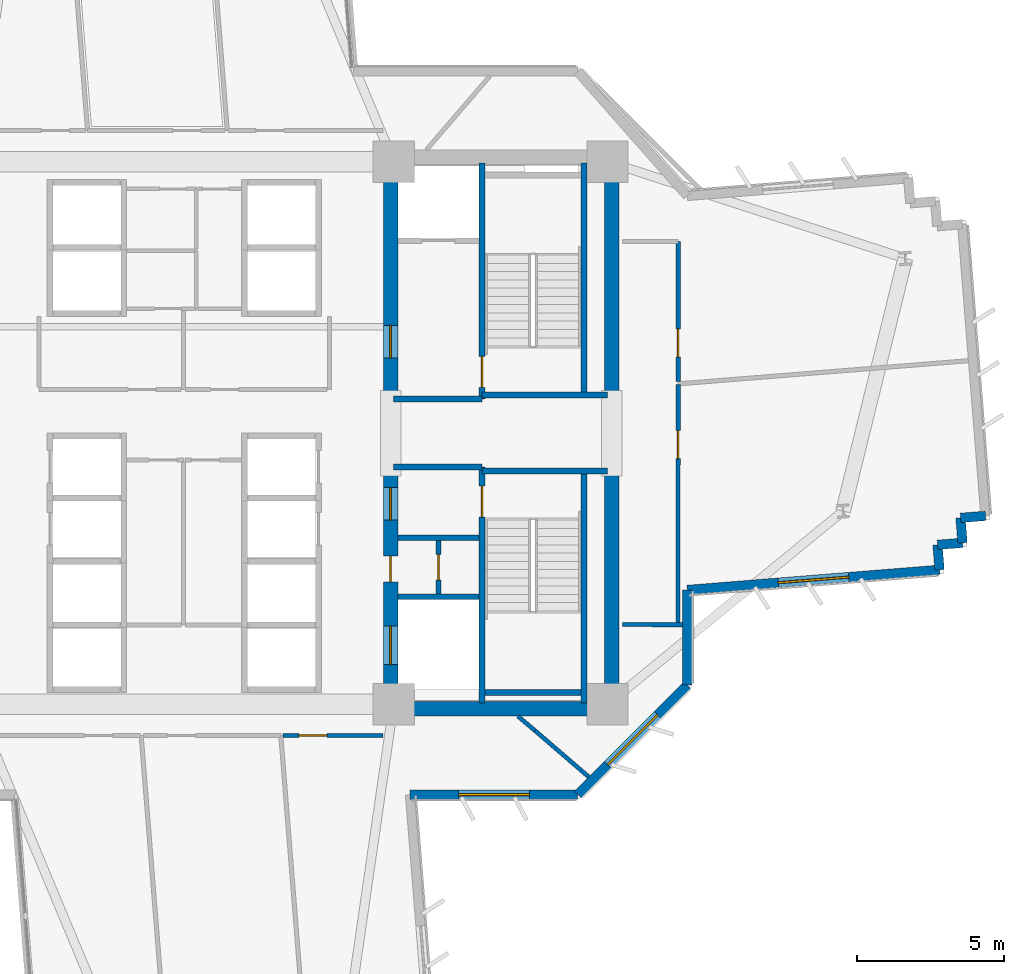
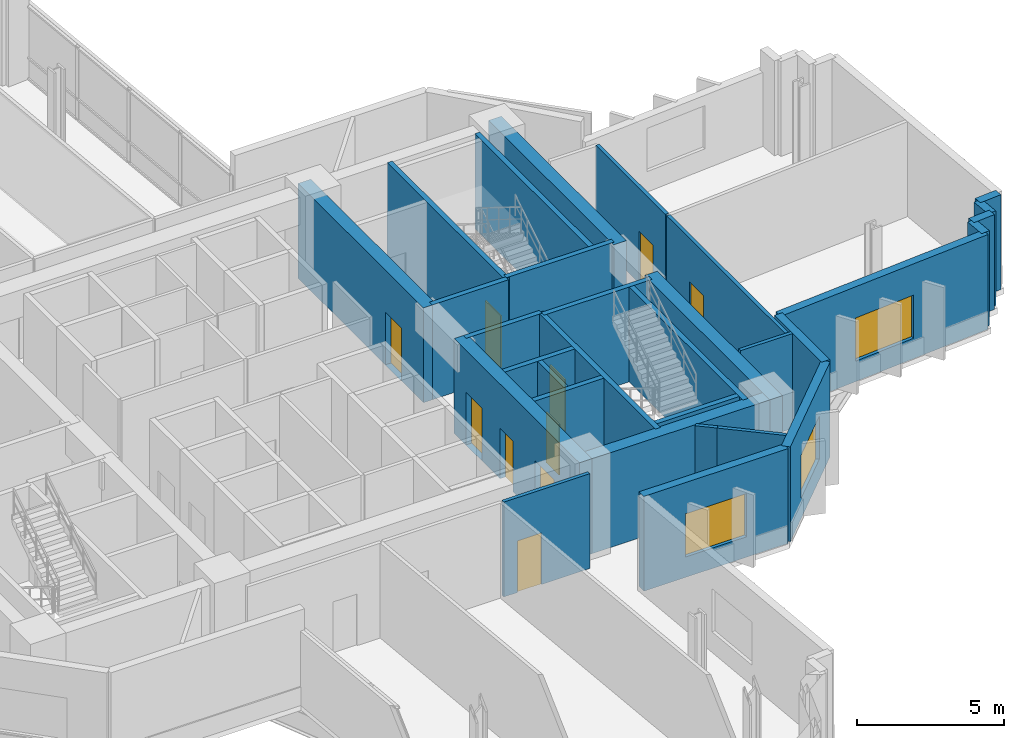
# One storey, part 8 of 15: 31 walls, 10 doors, 3 windows, 13 openings.
"""IFC4 building model written with IfcOpenShell, lengths in metres."""

from ifc_helpers import new_model, si_unit, direction, frame, frame_2d, origin, place, context, subcontext, project, spatial, rectangle, extrude, source, transform, mapped, material, layer, layer_set, type_object, element, fill, save


model = new_model("IFC4")

# Units and contexts
model_context = context("Model", 3, precision=1e-05, world=origin(), true_north=direction((0.0, 1.0)))
body_context = subcontext(model_context, "Body", "Model", "MODEL_VIEW")
ifc_project = project(units=[si_unit("LENGTHUNIT", "METRE"), si_unit("AREAUNIT", "SQUARE_METRE"), si_unit("VOLUMEUNIT", "CUBIC_METRE"), si_unit("PLANEANGLEUNIT", "RADIAN"), si_unit("MASSUNIT", "GRAM", prefix="KILO")], contexts=[model_context])

# Site, building, storey
site_placement = place(None, origin())
site = spatial("IfcSite", under=ifc_project, at=site_placement, CompositionType="ELEMENT")
building_placement = place(site_placement, origin())
building = spatial("IfcBuilding", under=site, at=building_placement, Name="Zahravan Cultural Tower", CompositionType="ELEMENT")
storey_placement = place(building_placement, frame((0.0, 0.0, 87.89990234375)))
storey = spatial("IfcBuildingStorey", under=building, at=storey_placement, Name="L19", CompositionType="ELEMENT", Elevation=87.89990234375)

# Wall, openings, doors
ifc_material_1 = material(Name="Concrete C60/75", Category="concrete")
ifc_layer_1 = layer(ifc_material_1, 0.5)
ifc_layer_set_1 = layer_set([ifc_layer_1], Name="Concrete C60/75")
wall_type_1 = type_object("IfcWallType", Name="CW-SHEAR-500-C60", PredefinedType="SHEAR", material=ifc_layer_set_1)
wall_1_placement = place(storey_placement, frame((43.0, 17.39990234375, 0.0), z_axis=(0.0, 0.0, 1.0), x_axis=(0.0, 1.0, 0.0)))
wall_1 = element("IfcWall", 1, at=wall_1_placement, inside=storey, type_object=wall_type_1, Name="L19 Core Shear Wall CW-E-WS-L19", PredefinedType="SHEAR", context=body_context, shape_type="SweptSolid", body=[
    extrude(rectangle(XDim=8.550048828125, YDim=0.5, at=frame_2d((4.27490234375, 0.0))), origin(), (0.0, 0.0, 1.0), 3.9501953125),
])
opening_1_placement = place(wall_1_placement, frame((6.64990234375, 0.0, 0.0)))
opening_1 = element("IfcOpeningElement", 2, at=opening_1_placement, cuts=wall_1, Name="Opening D-L19-08", PredefinedType="OPENING", context=body_context, shape_type="SweptSolid", body=[
    extrude(rectangle(XDim=1.10009765625, YDim=2.199951171875, at=frame_2d((0.550048828125, 1.10009765625))), frame((0.0, 0.260009765625, 0.0), z_axis=(0.0, -1.0, 0.0), x_axis=(1.0, 0.0, 0.0)), (0.0, 0.0, 1.0), 0.52001953125),
])
opening_2_placement = place(wall_1_placement, frame((1.75, 0.0, 0.0)))
opening_2 = element("IfcOpeningElement", 3, at=opening_2_placement, cuts=wall_1, Name="Opening LD-L19-03", PredefinedType="OPENING", context=body_context, shape_type="SweptSolid", body=[
    extrude(rectangle(XDim=1.300048828125, YDim=2.199951171875, at=frame_2d((0.64990234375, 1.10009765625))), frame((0.0, 0.260009765625, 0.0), z_axis=(0.0, -1.0, 0.0), x_axis=(1.0, 0.0, 0.0)), (0.0, 0.0, 1.0), 0.52001953125),
])
opening_3_placement = place(wall_1_placement, frame((4.550048828125, 0.0, 0.0)))
opening_3 = element("IfcOpeningElement", 4, at=opening_3_placement, cuts=wall_1, Name="Opening D-L19-11", PredefinedType="OPENING", context=body_context, shape_type="SweptSolid", body=[
    extrude(rectangle(XDim=0.8798828125, YDim=2.10009765625, at=frame_2d((0.43994140625, 1.050048828125))), frame((0.0, 0.260009765625, 0.0), z_axis=(0.0, -1.0, 0.0), x_axis=(1.0, 0.0, 0.0)), (0.0, 0.0, 1.0), 0.52001953125),
])
ifc_material_2 = material(Name="Steel ASTM A572 Grade 50", Category="steel")
door_type_1 = type_object("IfcDoorType", Name="DR-LOBBY-1100", OperationType="NOTDEFINED", PredefinedType="DOOR", material=ifc_material_2)
shared_shape_1 = source(origin(), body_context, "Body", "SweptSolid", [
    extrude(rectangle(XDim=1.10009765625, YDim=2.199951171875, at=frame_2d((0.550048828125, 1.10009765625))), frame((0.0, 0.02490234375, 0.0), z_axis=(0.0, -1.0, 0.0), x_axis=(1.0, 0.0, 0.0)), (0.0, 0.0, 1.0), 0.050048828125),
])
door_1_placement = place(opening_1_placement, origin())
door_1 = element("IfcDoor", 5, at=door_1_placement, inside=storey, type_object=door_type_1, Name="L19 Door D-L19-08", OperationType="SINGLE_SWING_RIGHT", OverallHeight=2.199951171875, OverallWidth=1.10009765625, PredefinedType="DOOR", context=body_context, shape_type="MappedRepresentation", body=[
    mapped(shared_shape_1, transform((0.0, 0.0, 0.0), x_axis=(1.0, 0.0, 0.0), y_axis=(0.0, 1.0, 0.0), z_axis=(0.0, 0.0, 1.0), scale=1.0)),
])
fill(opening_1, door_1)
door_type_2 = type_object("IfcDoorType", Name="DR-LIFT-1300", OperationType="DOUBLE_DOOR_SLIDING", PredefinedType="DOOR", material=ifc_material_2)
shared_shape_2 = source(origin(), body_context, "Body", "SweptSolid", [
    extrude(rectangle(XDim=1.300048828125, YDim=2.199951171875, at=frame_2d((0.64990234375, 1.10009765625))), frame((0.0, 0.02490234375, 0.0), z_axis=(0.0, -1.0, 0.0), x_axis=(1.0, 0.0, 0.0)), (0.0, 0.0, 1.0), 0.050048828125),
])
door_2_placement = place(opening_2_placement, origin())
door_2 = element("IfcDoor", 6, at=door_2_placement, inside=storey, type_object=door_type_2, Name="L19 Door LD-L19-03", OperationType="DOUBLE_DOOR_SLIDING", OverallHeight=2.199951171875, OverallWidth=1.300048828125, PredefinedType="DOOR", context=body_context, shape_type="MappedRepresentation", body=[
    mapped(shared_shape_2, transform((0.0, 0.0, 0.0), x_axis=(1.0, 0.0, 0.0), y_axis=(0.0, 1.0, 0.0), z_axis=(0.0, 0.0, 1.0), scale=1.0)),
])
fill(opening_2, door_2)
door_type_3 = type_object("IfcDoorType", Name="DR-SVC-880", OperationType="NOTDEFINED", PredefinedType="DOOR", material=ifc_material_2)
shared_shape_3 = source(origin(), body_context, "Body", "SweptSolid", [
    extrude(rectangle(XDim=0.8798828125, YDim=2.10009765625, at=frame_2d((0.43994140625, 1.050048828125))), frame((0.0, 0.02490234375, 0.0), z_axis=(0.0, -1.0, 0.0), x_axis=(1.0, 0.0, 0.0)), (0.0, 0.0, 1.0), 0.050048828125),
])
door_3_placement = place(opening_3_placement, origin())
door_3 = element("IfcDoor", 7, at=door_3_placement, inside=storey, type_object=door_type_3, Name="L19 Door D-L19-11", OperationType="SINGLE_SWING_LEFT", OverallHeight=2.10009765625, OverallWidth=0.8798828125, PredefinedType="DOOR", context=body_context, shape_type="MappedRepresentation", body=[
    mapped(shared_shape_3, transform((0.0, 0.0, 0.0), x_axis=(1.0, 0.0, 0.0), y_axis=(0.0, 1.0, 0.0), z_axis=(0.0, 0.0, 1.0), scale=1.0)),
])
fill(opening_3, door_3)

# Wall, opening, door
wall_2_placement = place(storey_placement, frame((43.0, 28.050048828125, 0.0), z_axis=(0.0, 0.0, 1.0), x_axis=(0.0, 1.0, 0.0)))
wall_2 = element("IfcWall", 8, at=wall_2_placement, inside=storey, type_object=wall_type_1, Name="L19 Core Shear Wall CW-E-WN-L19", PredefinedType="SHEAR", context=body_context, shape_type="SweptSolid", body=[
    extrude(rectangle(XDim=8.550048828125, YDim=0.5, at=frame_2d((4.27490234375, 0.0))), origin(), (0.0, 0.0, 1.0), 3.9501953125),
])
opening_4_placement = place(wall_2_placement, frame((1.5, 0.0, 0.0)))
opening_4 = element("IfcOpeningElement", 9, at=opening_4_placement, cuts=wall_2, Name="Opening D-L19-06", PredefinedType="OPENING", context=body_context, shape_type="SweptSolid", body=[
    extrude(rectangle(XDim=1.10009765625, YDim=2.199951171875, at=frame_2d((0.550048828125, 1.10009765625))), frame((0.0, 0.260009765625, 0.0), z_axis=(0.0, -1.0, 0.0), x_axis=(1.0, 0.0, 0.0)), (0.0, 0.0, 1.0), 0.52001953125),
])
door_4_placement = place(opening_4_placement, origin())
door_4 = element("IfcDoor", 10, at=door_4_placement, inside=storey, type_object=door_type_1, Name="L19 Door D-L19-06", OperationType="SINGLE_SWING_RIGHT", OverallHeight=2.199951171875, OverallWidth=1.10009765625, PredefinedType="DOOR", context=body_context, shape_type="MappedRepresentation", body=[
    mapped(shared_shape_1, transform((0.0, 0.0, 0.0), x_axis=(1.0, 0.0, 0.0), y_axis=(0.0, 1.0, 0.0), z_axis=(0.0, 0.0, 1.0), scale=1.0)),
])
fill(opening_4, door_4)

# Wall, opening, window
ifc_material_3 = material(Name="Precast concrete C40/50", Category="concrete")
ifc_layer_2 = layer(ifc_material_3, 0.320068359375)
ifc_layer_set_2 = layer_set([ifc_layer_2], Name="Precast concrete C40/50")
wall_type_2 = type_object("IfcWallType", Name="EW-TC-320", PredefinedType="SOLIDWALL", material=ifc_layer_set_2)
wall_3_placement = place(storey_placement, frame((61.60986328125, 22.361328125, 0.0), z_axis=(0.0, 0.0, 1.0), x_axis=(-0.996834708052, -0.07950198, 0.0)))
wall_3 = element("IfcWall", 11, at=wall_3_placement, inside=storey, type_object=wall_type_2, Name="L19 Exterior Masonry Frame Wall 11", PredefinedType="SOLIDWALL", context=body_context, shape_type="SweptSolid", body=[
    extrude(rectangle(XDim=8.576904296875, YDim=0.320068359375, at=frame_2d((4.28857421875, 0.0))), origin(), (0.0, 0.0, 1.0), 3.9501953125),
])
opening_5_placement = place(wall_3_placement, frame((3.087890625, 0.0, 0.85009765625)))
opening_5 = element("IfcOpeningElement", 12, at=opening_5_placement, cuts=wall_3, Name="Opening WN-01", PredefinedType="OPENING", context=body_context, shape_type="SweptSolid", body=[
    extrude(rectangle(XDim=2.39990234375, YDim=1.800048828125, at=frame_2d((1.199951171875, 0.89990234375))), frame((0.0, 0.169921875, 0.0), z_axis=(0.0, -1.0, 0.0), x_axis=(1.0, 0.0, 0.0)), (0.0, 0.0, 1.0), 0.340087890625),
])
ifc_material_4 = material(Name="Low-E solar-control double glazing", Category="glass")
window_type = type_object("IfcWindowType", Name="WN-REC-2400X1800", PartitioningType="DOUBLE_PANEL_VERTICAL", PredefinedType="WINDOW", material=ifc_material_4)
shared_shape_4 = source(origin(), body_context, "Body", "SweptSolid", [
    extrude(rectangle(XDim=2.39990234375, YDim=1.800048828125, at=frame_2d((1.199951171875, 0.89990234375))), frame((0.0, 0.030029296875, 0.0), z_axis=(0.0, -1.0, 0.0), x_axis=(1.0, 0.0, 0.0)), (0.0, 0.0, 1.0), 0.06005859375),
])
window_1_placement = place(opening_5_placement, origin())
window_1 = element("IfcWindow", 13, at=window_1_placement, inside=storey, type_object=window_type, Name="L19 Recessed Solar Window 02", OverallHeight=1.800048828125, OverallWidth=2.39990234375, PartitioningType="DOUBLE_PANEL_VERTICAL", PredefinedType="WINDOW", context=body_context, shape_type="MappedRepresentation", body=[
    mapped(shared_shape_4, transform((0.0, 0.0, 0.0), x_axis=(1.0, 0.0, 0.0), y_axis=(0.0, 1.0, 0.0), z_axis=(0.0, 0.0, 1.0), scale=1.0)),
])
fill(opening_5, window_1)

wall_4_placement = place(storey_placement, frame((53.06005859375, 18.4580078125, 0.0), z_axis=(0.0, 0.0, 1.0), x_axis=(-0.707106781187, -0.707106781187, 0.0)))
wall_4 = element("IfcWall", 14, at=wall_4_placement, inside=storey, type_object=wall_type_2, Name="L19 Exterior Masonry Frame Wall 13", PredefinedType="SOLIDWALL", context=body_context, shape_type="SweptSolid", body=[
    extrude(rectangle(XDim=5.258056640625, YDim=0.320068359375, at=frame_2d((2.62890625, 0.0))), origin(), (0.0, 0.0, 1.0), 3.9501953125),
])
opening_6_placement = place(wall_4_placement, frame((1.428955078125, 0.0, 0.85009765625)))
opening_6 = element("IfcOpeningElement", 15, at=opening_6_placement, cuts=wall_4, Name="Opening WN-01", PredefinedType="OPENING", context=body_context, shape_type="SweptSolid", body=[
    extrude(rectangle(XDim=2.39990234375, YDim=1.800048828125, at=frame_2d((1.199951171875, 0.89990234375))), frame((0.0, 0.169921875, 0.0), z_axis=(0.0, -1.0, 0.0), x_axis=(1.0, 0.0, 0.0)), (0.0, 0.0, 1.0), 0.340087890625),
])
window_2_placement = place(opening_6_placement, origin())
window_2 = element("IfcWindow", 16, at=window_2_placement, inside=storey, type_object=window_type, Name="L19 Recessed Solar Window 03", OverallHeight=1.800048828125, OverallWidth=2.39990234375, PartitioningType="DOUBLE_PANEL_VERTICAL", PredefinedType="WINDOW", context=body_context, shape_type="MappedRepresentation", body=[
    mapped(shared_shape_4, transform((0.0, 0.0, 0.0), x_axis=(1.0, 0.0, 0.0), y_axis=(0.0, 1.0, 0.0), z_axis=(0.0, 0.0, 1.0), scale=1.0)),
])
fill(opening_6, window_2)

wall_5_placement = place(storey_placement, frame((49.342041015625, 14.739990234375, 0.0), z_axis=(0.0, 0.0, 1.0), x_axis=(-1.0, 0.0, 0.0)))
wall_5 = element("IfcWall", 17, at=wall_5_placement, inside=storey, type_object=wall_type_2, Name="L19 Exterior Masonry Frame Wall 14", PredefinedType="SOLIDWALL", context=body_context, shape_type="SweptSolid", body=[
    extrude(rectangle(XDim=5.68310546875, YDim=0.320068359375, at=frame_2d((2.841552734375, 0.0))), origin(), (0.0, 0.0, 1.0), 3.9501953125),
])
opening_7_placement = place(wall_5_placement, frame((1.64111328125, 0.0, 0.85009765625)))
opening_7 = element("IfcOpeningElement", 18, at=opening_7_placement, cuts=wall_5, Name="Opening WN-01", PredefinedType="OPENING", context=body_context, shape_type="SweptSolid", body=[
    extrude(rectangle(XDim=2.39990234375, YDim=1.800048828125, at=frame_2d((1.199951171875, 0.89990234375))), frame((0.0, 0.169921875, 0.0), z_axis=(0.0, -1.0, 0.0), x_axis=(1.0, 0.0, 0.0)), (0.0, 0.0, 1.0), 0.340087890625),
])
window_3_placement = place(opening_7_placement, origin())
window_3 = element("IfcWindow", 19, at=window_3_placement, inside=storey, type_object=window_type, Name="L19 Recessed Solar Window 04", OverallHeight=1.800048828125, OverallWidth=2.39990234375, PartitioningType="DOUBLE_PANEL_VERTICAL", PredefinedType="WINDOW", context=body_context, shape_type="MappedRepresentation", body=[
    mapped(shared_shape_4, transform((0.0, 0.0, 0.0), x_axis=(1.0, 0.0, 0.0), y_axis=(0.0, 1.0, 0.0), z_axis=(0.0, 0.0, 1.0), scale=1.0)),
])
fill(opening_7, window_3)

# Wall, opening, door
ifc_material_5 = material(Name="Gypsum plasterboard partition")
ifc_layer_3 = layer(ifc_material_5, 0.179931640625)
ifc_layer_set_3 = layer_set([ifc_layer_3], Name="Gypsum plasterboard partition")
wall_type_3 = type_object("IfcWallType", Name="W-COMP-180", PredefinedType="PARTITIONING", material=ifc_layer_set_3)
wall_6_placement = place(storey_placement, frame((44.6201171875, 21.550048828125, 0.0), z_axis=(0.0, 0.0, 1.0), x_axis=(0.0, 1.0, 0.0)))
wall_6 = element("IfcWall", 20, at=wall_6_placement, inside=storey, type_object=wall_type_3, Name="L19 Interior Wall 027", PredefinedType="PARTITIONING", context=body_context, shape_type="SweptSolid", body=[
    extrude(rectangle(XDim=1.800048828125, YDim=0.179931640625, at=frame_2d((0.89990234375, 0.0))), origin(), (0.0, 0.0, 1.0), 3.9501953125),
])
opening_8_placement = place(wall_6_placement, frame((0.4599609375, 0.0, 0.0)))
opening_8 = element("IfcOpeningElement", 21, at=opening_8_placement, cuts=wall_6, Name="Opening D-L19-12", PredefinedType="OPENING", context=body_context, shape_type="SweptSolid", body=[
    extrude(rectangle(XDim=0.8798828125, YDim=2.10009765625, at=frame_2d((0.43994140625, 1.050048828125))), frame((0.0, 0.099853515625, 0.0), z_axis=(0.0, -1.0, 0.0), x_axis=(1.0, 0.0, 0.0)), (0.0, 0.0, 1.0), 0.199951171875),
])
door_5_placement = place(opening_8_placement, origin())
door_5 = element("IfcDoor", 22, at=door_5_placement, inside=storey, type_object=door_type_3, Name="L19 Door D-L19-12", OperationType="SINGLE_SWING_RIGHT", OverallHeight=2.10009765625, OverallWidth=0.8798828125, PredefinedType="DOOR", context=body_context, shape_type="MappedRepresentation", body=[
    mapped(shared_shape_3, transform((0.0, 0.0, 0.0), x_axis=(1.0, 0.0, 0.0), y_axis=(0.0, 1.0, 0.0), z_axis=(0.0, 0.0, 1.0), scale=1.0)),
])
fill(opening_8, door_5)

ifc_layer_4 = layer(ifc_material_5, 0.139892578125)
ifc_layer_set_4 = layer_set([ifc_layer_4], Name="Gypsum plasterboard partition")
wall_type_4 = type_object("IfcWallType", Name="W-PART-140", PredefinedType="PARTITIONING", material=ifc_layer_set_4)
wall_7_placement = place(storey_placement, frame((39.351318359375, 16.739990234375, 0.0), z_axis=(0.0, 0.0, 1.0), x_axis=(0.999999935369, 0.000359531148, 0.0)))
wall_7 = element("IfcWall", 23, at=wall_7_placement, inside=storey, type_object=wall_type_4, Name="L19 Interior Wall 091", PredefinedType="PARTITIONING", context=body_context, shape_type="SweptSolid", body=[
    extrude(rectangle(XDim=3.395263671875, YDim=0.139892578125, at=frame_2d((1.69775390625, 0.0))), origin(), (0.0, 0.0, 1.0), 3.9501953125),
])
opening_9_placement = place(wall_7_placement, frame((0.5380859375, 0.0, 0.0)))
opening_9 = element("IfcOpeningElement", 24, at=opening_9_placement, cuts=wall_7, Name="Opening D-L19-28", PredefinedType="OPENING", context=body_context, shape_type="SweptSolid", body=[
    extrude(rectangle(XDim=0.949951171875, YDim=2.14990234375, at=frame_2d((0.47509765625, 1.074951171875))), frame((0.0, 0.079833984375, 0.0), z_axis=(0.0, -1.0, 0.0), x_axis=(1.0, 0.0, 0.0)), (0.0, 0.0, 1.0), 0.159912109375),
])
ifc_material_6 = material(Name="Anodised bronze-aluminium mullion", Category="aluminium")
door_type_4 = type_object("IfcDoorType", Name="DR-ROOM-950", OperationType="NOTDEFINED", PredefinedType="DOOR", material=ifc_material_6)
shared_shape_5 = source(origin(), body_context, "Body", "SweptSolid", [
    extrude(rectangle(XDim=0.949951171875, YDim=2.14990234375, at=frame_2d((0.47509765625, 1.074951171875))), frame((0.0, 0.02490234375, 0.0), z_axis=(0.0, -1.0, 0.0), x_axis=(1.0, 0.0, 0.0)), (0.0, 0.0, 1.0), 0.050048828125),
])
door_6_placement = place(opening_9_placement, origin())
door_6 = element("IfcDoor", 25, at=door_6_placement, inside=storey, type_object=door_type_4, Name="L19 Door D-L19-28", OperationType="SINGLE_SWING_RIGHT", OverallHeight=2.14990234375, OverallWidth=0.949951171875, PredefinedType="DOOR", context=body_context, shape_type="MappedRepresentation", body=[
    mapped(shared_shape_5, transform((0.0, 0.0, 0.0), x_axis=(1.0, 0.0, 0.0), y_axis=(0.0, 1.0, 0.0), z_axis=(0.0, 0.0, 1.0), scale=1.0)),
])
fill(opening_9, door_6)

wall_8_placement = place(storey_placement, frame((52.75, 28.7421875, 0.0), z_axis=(0.0, 0.0, 1.0), x_axis=(-0.000102701037, 0.999999994726, 0.0)))
wall_8 = element("IfcWall", 26, at=wall_8_placement, inside=storey, type_object=wall_type_4, Name="L19 Interior Wall 104", PredefinedType="PARTITIONING", context=body_context, shape_type="SweptSolid", body=[
    extrude(rectangle(XDim=4.75439453125, YDim=0.139892578125, at=frame_2d((2.377197265625, 0.0))), origin(), (0.0, 0.0, 1.0), 3.9501953125),
])
opening_10_placement = place(wall_8_placement, frame((0.8369140625, 0.0, 0.0)))
opening_10 = element("IfcOpeningElement", 27, at=opening_10_placement, cuts=wall_8, Name="Opening D-L19-20", PredefinedType="OPENING", context=body_context, shape_type="SweptSolid", body=[
    extrude(rectangle(XDim=0.949951171875, YDim=2.14990234375, at=frame_2d((0.47509765625, 1.074951171875))), frame((0.0, 0.079833984375, 0.0), z_axis=(0.0, -1.0, 0.0), x_axis=(1.0, 0.0, 0.0)), (0.0, 0.0, 1.0), 0.159912109375),
])
door_7_placement = place(opening_10_placement, origin())
door_7 = element("IfcDoor", 28, at=door_7_placement, inside=storey, type_object=door_type_4, Name="L19 Door D-L19-20", OperationType="SINGLE_SWING_RIGHT", OverallHeight=2.14990234375, OverallWidth=0.949951171875, PredefinedType="DOOR", context=body_context, shape_type="MappedRepresentation", body=[
    mapped(shared_shape_5, transform((0.0, 0.0, 0.0), x_axis=(1.0, 0.0, 0.0), y_axis=(0.0, 1.0, 0.0), z_axis=(0.0, 0.0, 1.0), scale=1.0)),
])
fill(opening_10, door_7)

wall_9_placement = place(storey_placement, frame((52.7451171875, 20.576171875, 0.0), z_axis=(0.0, 0.0, 1.0), x_axis=(0.000604997167, 0.999999816989, 0.0)))
wall_9 = element("IfcWall", 29, at=wall_9_placement, inside=storey, type_object=wall_type_4, Name="L19 Interior Wall 113", PredefinedType="PARTITIONING", context=body_context, shape_type="SweptSolid", body=[
    extrude(rectangle(XDim=8.07080078125, YDim=0.139892578125, at=frame_2d((4.035400390625, 0.0))), origin(), (0.0, 0.0, 1.0), 3.9501953125),
])
opening_11_placement = place(wall_9_placement, frame((5.55419921875, 0.0, 0.0)))
opening_11 = element("IfcOpeningElement", 30, at=opening_11_placement, cuts=wall_9, Name="Opening D-L19-19", PredefinedType="OPENING", context=body_context, shape_type="SweptSolid", body=[
    extrude(rectangle(XDim=0.949951171875, YDim=2.14990234375, at=frame_2d((0.47509765625, 1.074951171875))), frame((0.0, 0.079833984375, 0.0), z_axis=(0.0, -1.0, 0.0), x_axis=(1.0, 0.0, 0.0)), (0.0, 0.0, 1.0), 0.159912109375),
])
door_8_placement = place(opening_11_placement, origin())
door_8 = element("IfcDoor", 31, at=door_8_placement, inside=storey, type_object=door_type_4, Name="L19 Door D-L19-19", OperationType="SINGLE_SWING_LEFT", OverallHeight=2.14990234375, OverallWidth=0.949951171875, PredefinedType="DOOR", context=body_context, shape_type="MappedRepresentation", body=[
    mapped(shared_shape_5, transform((0.0, 0.0, 0.0), x_axis=(1.0, 0.0, 0.0), y_axis=(0.0, 1.0, 0.0), z_axis=(0.0, 0.0, 1.0), scale=1.0)),
])
fill(opening_11, door_8)

ifc_material_7 = material(Name="Concrete C45/55", Category="concrete")
ifc_layer_5 = layer(ifc_material_7, 0.199951171875)
ifc_layer_set_5 = layer_set([ifc_layer_5], Name="Concrete C45/55")
wall_type_5 = type_object("IfcWallType", Name="W-SHAFT-200", PredefinedType="SOLIDWALL", material=ifc_layer_set_5)
wall_10_placement = place(storey_placement, frame((46.10009765625, 17.85009765625, 0.0), z_axis=(0.0, 0.0, 1.0), x_axis=(0.0, 1.0, 0.0)))
wall_10 = element("IfcWall", 32, at=wall_10_placement, inside=storey, type_object=wall_type_5, Name="L19 Interior Wall 007", PredefinedType="SOLIDWALL", context=body_context, shape_type="SweptSolid", body=[
    extrude(rectangle(XDim=8.0, YDim=0.199951171875, at=frame_2d((4.0, 0.0))), origin(), (0.0, 0.0, 1.0), 3.9501953125),
])
opening_12_placement = place(wall_10_placement, frame((6.300048828125, 0.0, 0.0)))
opening_12 = element("IfcOpeningElement", 33, at=opening_12_placement, cuts=wall_10, Name="Opening D-L19-03", PredefinedType="OPENING", context=body_context, shape_type="SweptSolid", body=[
    extrude(rectangle(XDim=1.050048828125, YDim=2.14990234375, at=frame_2d((0.52490234375, 1.074951171875))), frame((0.0, 0.10986328125, 0.0), z_axis=(0.0, -1.0, 0.0), x_axis=(1.0, 0.0, 0.0)), (0.0, 0.0, 1.0), 0.219970703125),
])
door_type_5 = type_object("IfcDoorType", Name="DR-STAIR-1050", OperationType="NOTDEFINED", PredefinedType="DOOR", material=ifc_material_2)
shared_shape_6 = source(origin(), body_context, "Body", "SweptSolid", [
    extrude(rectangle(XDim=1.050048828125, YDim=2.14990234375, at=frame_2d((0.52490234375, 1.074951171875))), frame((0.0, 0.02490234375, 0.0), z_axis=(0.0, -1.0, 0.0), x_axis=(1.0, 0.0, 0.0)), (0.0, 0.0, 1.0), 0.050048828125),
])
door_9_placement = place(opening_12_placement, origin())
door_9 = element("IfcDoor", 34, at=door_9_placement, inside=storey, type_object=door_type_5, Name="L19 Door D-L19-03", OperationType="SINGLE_SWING_LEFT", OverallHeight=2.14990234375, OverallWidth=1.050048828125, PredefinedType="DOOR", context=body_context, shape_type="MappedRepresentation", body=[
    mapped(shared_shape_6, transform((0.0, 0.0, 0.0), x_axis=(1.0, 0.0, 0.0), y_axis=(0.0, 1.0, 0.0), z_axis=(0.0, 0.0, 1.0), scale=1.0)),
])
fill(opening_12, door_9)

wall_11_placement = place(storey_placement, frame((46.10009765625, 28.14990234375, 0.0), z_axis=(0.0, 0.0, 1.0), x_axis=(0.0, 1.0, 0.0)))
wall_11 = element("IfcWall", 35, at=wall_11_placement, inside=storey, type_object=wall_type_5, Name="L19 Interior Wall 008", PredefinedType="SOLIDWALL", context=body_context, shape_type="SweptSolid", body=[
    extrude(rectangle(XDim=8.0, YDim=0.199951171875, at=frame_2d((4.0, 0.0))), origin(), (0.0, 0.0, 1.0), 3.9501953125),
])
opening_13_placement = place(wall_11_placement, frame((0.39990234375, 0.0, 0.0)))
opening_13 = element("IfcOpeningElement", 36, at=opening_13_placement, cuts=wall_11, Name="Opening D-L19-02", PredefinedType="OPENING", context=body_context, shape_type="SweptSolid", body=[
    extrude(rectangle(XDim=1.050048828125, YDim=2.14990234375, at=frame_2d((0.52490234375, 1.074951171875))), frame((0.0, 0.10986328125, 0.0), z_axis=(0.0, -1.0, 0.0), x_axis=(1.0, 0.0, 0.0)), (0.0, 0.0, 1.0), 0.219970703125),
])
door_10_placement = place(opening_13_placement, origin())
door_10 = element("IfcDoor", 37, at=door_10_placement, inside=storey, type_object=door_type_5, Name="L19 Door D-L19-02", OperationType="SINGLE_SWING_RIGHT", OverallHeight=2.14990234375, OverallWidth=1.050048828125, PredefinedType="DOOR", context=body_context, shape_type="MappedRepresentation", body=[
    mapped(shared_shape_6, transform((0.0, 0.0, 0.0), x_axis=(1.0, 0.0, 0.0), y_axis=(0.0, 1.0, 0.0), z_axis=(0.0, 0.0, 1.0), scale=1.0)),
])
fill(opening_13, door_10)

# Walls
shared_shape_7 = source(origin(), body_context, "Body", "SweptSolid", [
    extrude(rectangle(XDim=8.550048828125, YDim=0.5, at=frame_2d((4.27490234375, 0.0))), origin(), (0.0, 0.0, 1.0), 3.9501953125),
])
for number, where, z_axis, x_axis, name in (
    (38, (50.5, 17.39990234375, 0.0), (0.0, 0.0, 1.0), (0.0, 1.0, 0.0), "L19 Core Shear Wall CW-E-ES-L19"),
    (39, (50.5, 28.050048828125, 0.0), (0.0, 0.0, 1.0), (0.0, 1.0, 0.0), "L19 Core Shear Wall CW-E-EN-L19"),
):
    element("IfcWall", number, at=place(storey_placement, frame(where, z_axis=z_axis, x_axis=x_axis)), inside=storey, type_object=wall_type_1, Name=name, PredefinedType="SHEAR", context=body_context, shape_type="MappedRepresentation", body=[
        mapped(shared_shape_7, transform((0.0, 0.0, 0.0), x_axis=(1.0, 0.0, 0.0), y_axis=(0.0, 1.0, 0.0), z_axis=(0.0, 0.0, 1.0), scale=1.0)),
    ])
shared_shape_8 = source(origin(), body_context, "Body", "SweptSolid", [
    extrude(rectangle(XDim=7.0, YDim=0.5, at=frame_2d((3.5, 0.0))), origin(), (0.0, 0.0, 1.0), 3.9501953125),
])
wall_12_placement = place(storey_placement, frame((43.25, 17.64990234375, 0.0), z_axis=(0.0, 0.0, 1.0), x_axis=(1.0, 0.0, 0.0)))
element("IfcWall", 40, at=wall_12_placement, inside=storey, type_object=wall_type_1, Name="L19 Core Shear Wall CW-E-S-L19", PredefinedType="SHEAR", context=body_context, shape_type="MappedRepresentation", body=[
    mapped(shared_shape_8, transform((0.0, 0.0, 0.0), x_axis=(1.0, 0.0, 0.0), y_axis=(0.0, 1.0, 0.0), z_axis=(0.0, 0.0, 1.0), scale=1.0)),
])
shared_shape_9 = source(origin(), body_context, "Body", "SweptSolid", [
    extrude(rectangle(XDim=0.85009765625, YDim=0.320068359375, at=frame_2d((0.425048828125, 0.0))), origin(), (0.0, 0.0, 1.0), 3.9501953125),
])
for number, where, z_axis, x_axis, name in (
    (41, (62.322021484375, 24.12353515625, 0.0), (0.0, 0.0, 1.0), (0.079551174585, -0.996830783344, 0.0), "L19 Exterior Masonry Frame Wall 08"),
    (42, (62.3896484375, 23.276123046875, 0.0), (0.0, 0.0, 1.0), (-0.99685351678, -0.079265793901, 0.0), "L19 Exterior Masonry Frame Wall 09"),
    (43, (61.542236328125, 23.208740234375, 0.0), (0.0, 0.0, 1.0), (0.079551174585, -0.996830783344, 0.0), "L19 Exterior Masonry Frame Wall 10"),
):
    element("IfcWall", number, at=place(storey_placement, frame(where, z_axis=z_axis, x_axis=x_axis)), inside=storey, type_object=wall_type_2, Name=name, PredefinedType="SOLIDWALL", context=body_context, shape_type="MappedRepresentation", body=[
        mapped(shared_shape_9, transform((0.0, 0.0, 0.0), x_axis=(1.0, 0.0, 0.0), y_axis=(0.0, 1.0, 0.0), z_axis=(0.0, 0.0, 1.0), scale=1.0)),
    ])
shared_shape_10 = source(origin(), body_context, "Body", "SweptSolid", [
    extrude(rectangle(XDim=0.849853515625, YDim=0.320068359375, at=frame_2d((0.4248046875, 0.0))), origin(), (0.0, 0.0, 1.0), 3.9501953125),
])
wall_13_placement = place(storey_placement, frame((63.169189453125, 24.191162109375, 0.0), z_axis=(0.0, 0.0, 1.0), x_axis=(-0.996828965123, -0.079573954853, 0.0)))
element("IfcWall", 44, at=wall_13_placement, inside=storey, type_object=wall_type_2, Name="L19 Exterior Masonry Frame Wall 07", PredefinedType="SOLIDWALL", context=body_context, shape_type="MappedRepresentation", body=[
    mapped(shared_shape_10, transform((0.0, 0.0, 0.0), x_axis=(1.0, 0.0, 0.0), y_axis=(0.0, 1.0, 0.0), z_axis=(0.0, 0.0, 1.0), scale=1.0)),
])
shared_shape_11 = source(origin(), body_context, "Body", "SweptSolid", [
    extrude(rectangle(XDim=3.221435546875, YDim=0.320068359375, at=frame_2d((1.61083984375, 0.0))), origin(), (0.0, 0.0, 1.0), 3.9501953125),
])
wall_14_placement = place(storey_placement, frame((53.06005859375, 21.679443359375, 0.0), z_axis=(0.0, 0.0, 1.0), x_axis=(0.0, -1.0, 0.0)))
element("IfcWall", 45, at=wall_14_placement, inside=storey, type_object=wall_type_2, Name="L19 Exterior Masonry Frame Wall 12", PredefinedType="SOLIDWALL", context=body_context, shape_type="MappedRepresentation", body=[
    mapped(shared_shape_11, transform((0.0, 0.0, 0.0), x_axis=(1.0, 0.0, 0.0), y_axis=(0.0, 1.0, 0.0), z_axis=(0.0, 0.0, 1.0), scale=1.0)),
])
shared_shape_12 = source(origin(), body_context, "Body", "SweptSolid", [
    extrude(rectangle(XDim=7.869873046875, YDim=0.199951171875, at=frame_2d((3.93505859375, 0.0))), origin(), (0.0, 0.0, 1.0), 3.9501953125),
])
for number, where, z_axis, x_axis, name in (
    (46, (49.550048828125, 17.85009765625, 0.0), (0.0, 0.0, 1.0), (0.0, 1.0, 0.0), "L19 Interior Wall 003"),
    (47, (49.550048828125, 28.280029296875, 0.0), (0.0, 0.0, 1.0), (0.0, 1.0, 0.0), "L19 Interior Wall 004"),
):
    element("IfcWall", number, at=place(storey_placement, frame(where, z_axis=z_axis, x_axis=x_axis)), inside=storey, type_object=wall_type_5, Name=name, PredefinedType="SOLIDWALL", context=body_context, shape_type="MappedRepresentation", body=[
        mapped(shared_shape_12, transform((0.0, 0.0, 0.0), x_axis=(1.0, 0.0, 0.0), y_axis=(0.0, 1.0, 0.0), z_axis=(0.0, 0.0, 1.0), scale=1.0)),
    ])
shared_shape_13 = source(origin(), body_context, "Body", "SweptSolid", [
    extrude(rectangle(XDim=4.25, YDim=0.199951171875, at=frame_2d((2.125, 0.0))), origin(), (0.0, 0.0, 1.0), 3.9501953125),
])
for number, where, z_axis, x_axis, name in (
    (48, (46.10009765625, 25.715087890625, 0.0), (0.0, 0.0, 1.0), (1.0, 0.0, 0.0), "L19 Interior Wall 014"),
    (49, (46.10009765625, 28.284912109375, 0.0), (0.0, 0.0, 1.0), (1.0, 0.0, 0.0), "L19 Interior Wall 016"),
):
    element("IfcWall", number, at=place(storey_placement, frame(where, z_axis=z_axis, x_axis=x_axis)), inside=storey, type_object=wall_type_5, Name=name, PredefinedType="SOLIDWALL", context=body_context, shape_type="MappedRepresentation", body=[
        mapped(shared_shape_13, transform((0.0, 0.0, 0.0), x_axis=(1.0, 0.0, 0.0), y_axis=(0.0, 1.0, 0.0), z_axis=(0.0, 0.0, 1.0), scale=1.0)),
    ])
shared_shape_14 = source(origin(), body_context, "Body", "SweptSolid", [
    extrude(rectangle(XDim=3.0, YDim=0.199951171875, at=frame_2d((1.5, 0.0))), origin(), (0.0, 0.0, 1.0), 3.9501953125),
])
for number, where, z_axis, x_axis, name in (
    (50, (43.10009765625, 25.85009765625, 0.0), (0.0, 0.0, 1.0), (1.0, 0.0, 0.0), "L19 Interior Wall 013"),
    (51, (43.10009765625, 28.14990234375, 0.0), (0.0, 0.0, 1.0), (1.0, 0.0, 0.0), "L19 Interior Wall 015"),
):
    element("IfcWall", number, at=place(storey_placement, frame(where, z_axis=z_axis, x_axis=x_axis)), inside=storey, type_object=wall_type_5, Name=name, PredefinedType="SOLIDWALL", context=body_context, shape_type="MappedRepresentation", body=[
        mapped(shared_shape_14, transform((0.0, 0.0, 0.0), x_axis=(1.0, 0.0, 0.0), y_axis=(0.0, 1.0, 0.0), z_axis=(0.0, 0.0, 1.0), scale=1.0)),
    ])
shared_shape_15 = source(origin(), body_context, "Body", "SweptSolid", [
    extrude(rectangle(XDim=3.25, YDim=0.199951171875, at=frame_2d((1.625, 0.0))), origin(), (0.0, 0.0, 1.0), 3.9501953125),
])
wall_15_placement = place(storey_placement, frame((46.199951171875, 18.199951171875, 0.0), z_axis=(0.0, 0.0, 1.0), x_axis=(1.0, 0.0, 0.0)))
element("IfcWall", 52, at=wall_15_placement, inside=storey, type_object=wall_type_5, Name="L19 Interior Wall 020", PredefinedType="SOLIDWALL", context=body_context, shape_type="MappedRepresentation", body=[
    mapped(shared_shape_15, transform((0.0, 0.0, 0.0), x_axis=(1.0, 0.0, 0.0), y_axis=(0.0, 1.0, 0.0), z_axis=(0.0, 0.0, 1.0), scale=1.0)),
])
shared_shape_16 = source(origin(), body_context, "Body", "SweptSolid", [
    extrude(rectangle(XDim=2.75, YDim=0.199951171875, at=frame_2d((1.375, 0.0))), origin(), (0.0, 0.0, 1.0), 3.9501953125),
])
for number, where, z_axis, x_axis, name in (
    (53, (43.25, 23.449951171875, 0.0), (0.0, 0.0, 1.0), (1.0, 0.0, 0.0), "L19 Interior Wall 024"),
    (54, (43.25, 21.449951171875, 0.0), (0.0, 0.0, 1.0), (1.0, 0.0, 0.0), "L19 Interior Wall 025"),
):
    element("IfcWall", number, at=place(storey_placement, frame(where, z_axis=z_axis, x_axis=x_axis)), inside=storey, type_object=wall_type_5, Name=name, PredefinedType="SOLIDWALL", context=body_context, shape_type="MappedRepresentation", body=[
        mapped(shared_shape_16, transform((0.0, 0.0, 0.0), x_axis=(1.0, 0.0, 0.0), y_axis=(0.0, 1.0, 0.0), z_axis=(0.0, 0.0, 1.0), scale=1.0)),
    ])
shared_shape_17 = source(origin(), body_context, "Body", "SweptSolid", [
    extrude(rectangle(XDim=0.7607421875, YDim=0.139892578125, at=frame_2d((0.38037109375, 0.0))), origin(), (0.0, 0.0, 1.0), 3.9501953125),
])
wall_16_placement = place(storey_placement, frame((47.318359375, 17.39501953125, 0.0), z_axis=(0.0, 0.0, 1.0), x_axis=(0.764128340752, -0.645064243978, 0.0)))
element("IfcWall", 55, at=wall_16_placement, inside=storey, type_object=wall_type_4, Name="L19 Interior Wall 092", PredefinedType="PARTITIONING", context=body_context, shape_type="MappedRepresentation", body=[
    mapped(shared_shape_17, transform((0.0, 0.0, 0.0), x_axis=(1.0, 0.0, 0.0), y_axis=(0.0, 1.0, 0.0), z_axis=(0.0, 0.0, 1.0), scale=1.0)),
])
shared_shape_18 = source(origin(), body_context, "Body", "SweptSolid", [
    extrude(rectangle(XDim=2.39208984375, YDim=0.139892578125, at=frame_2d((1.196044921875, 0.0))), origin(), (0.0, 0.0, 1.0), 3.9501953125),
])
wall_17_placement = place(storey_placement, frame((47.899658203125, 16.904296875, 0.0), z_axis=(0.0, 0.0, 1.0), x_axis=(0.758044905356, -0.652202362357, 0.0)))
element("IfcWall", 56, at=wall_17_placement, inside=storey, type_object=wall_type_4, Name="L19 Interior Wall 093", PredefinedType="PARTITIONING", context=body_context, shape_type="MappedRepresentation", body=[
    mapped(shared_shape_18, transform((0.0, 0.0, 0.0), x_axis=(1.0, 0.0, 0.0), y_axis=(0.0, 1.0, 0.0), z_axis=(0.0, 0.0, 1.0), scale=1.0)),
])
shared_shape_19 = source(origin(), body_context, "Body", "SweptSolid", [
    extrude(rectangle(XDim=2.04736328125, YDim=0.139892578125, at=frame_2d((1.023681640625, 0.0))), origin(), (0.0, 0.0, 1.0), 3.9501953125),
])
wall_18_placement = place(storey_placement, frame((50.8525390625, 20.50244140625, 0.0), z_axis=(0.0, 0.0, 1.0), x_axis=(0.999999822254, -0.000596231709, 0.0)))
element("IfcWall", 57, at=wall_18_placement, inside=storey, type_object=wall_type_4, Name="L19 Interior Wall 112", PredefinedType="PARTITIONING", context=body_context, shape_type="MappedRepresentation", body=[
    mapped(shared_shape_19, transform((0.0, 0.0, 0.0), x_axis=(1.0, 0.0, 0.0), y_axis=(0.0, 1.0, 0.0), z_axis=(0.0, 0.0, 1.0), scale=1.0)),
])

save(model, "model.ifc")
